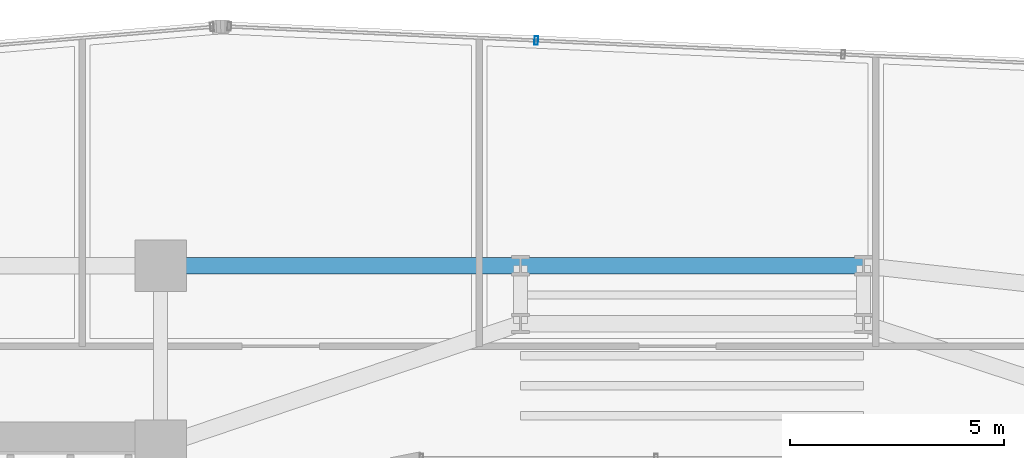
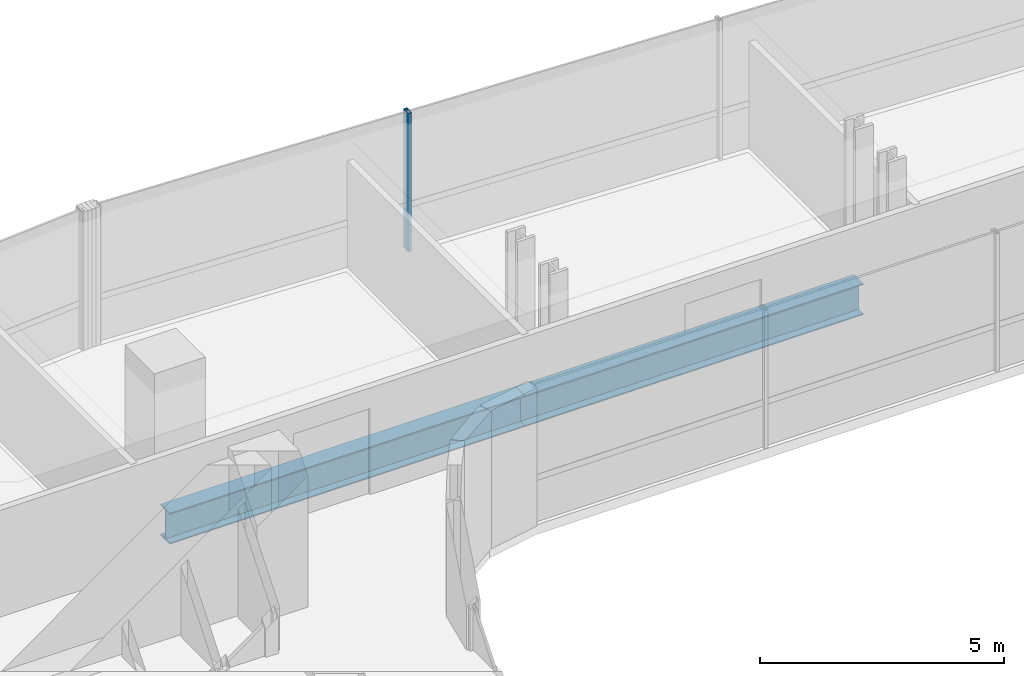
# One storey, part 20 of 35: 2 beams, 1 member, 1 element without a shape of its own.
"""IFC4 building model written with IfcOpenShell, lengths in metres."""

from ifc_helpers import new_model, si_unit, direction, frame, origin, origin_2d, place, context, subcontext, project, spatial, hollow_rectangle, i_section, extrude, source, transform, mapped, material, material_profile, profile_set, type_object, element, aggregate, save


model = new_model("IFC4")

# Units and contexts
model_context = context("Model", 3, precision=1e-05, world=origin(), true_north=direction((0.0, 1.0)))
body_context = subcontext(model_context, "Body", "Model", "MODEL_VIEW")
ifc_project = project(units=[si_unit("LENGTHUNIT", "METRE"), si_unit("AREAUNIT", "SQUARE_METRE"), si_unit("VOLUMEUNIT", "CUBIC_METRE"), si_unit("PLANEANGLEUNIT", "RADIAN"), si_unit("MASSUNIT", "GRAM", prefix="KILO")], contexts=[model_context])

# Site, building, storey
site_placement = place(None, origin())
site = spatial("IfcSite", under=ifc_project, at=site_placement, CompositionType="ELEMENT")
building_placement = place(site_placement, origin())
building = spatial("IfcBuilding", under=site, at=building_placement, Name="Valdorenza Pilgrim Sanctuary Tower", CompositionType="ELEMENT")
storey_placement = place(building_placement, frame((0.0, 0.0, 139.0)))
storey = spatial("IfcBuildingStorey", under=building, at=storey_placement, Name="L35", CompositionType="ELEMENT", Elevation=139.0)

# Beams
ifc_material_1 = material(Name="Steel ASTM A992 Grade 50", Category="steel")
ifc_material_profile_1 = material_profile(ifc_material_1, i_section(OverallWidth=0.382080078125, OverallDepth=0.779052734375, WebThickness=0.01806640625, FlangeThickness=0.030029296875, at=origin_2d()), Name="W30X191")
ifc_profile_set_1 = profile_set([ifc_material_profile_1], Name="Steel ASTM A992 Grade 50")
beam_type = type_object("IfcBeamType", Name="STR-BM-GRD-W30", PredefinedType="BEAM", material=ifc_profile_set_1)
shared_shape_1 = source(origin(), body_context, "Body", "SweptSolid", [
    extrude(i_section(OverallWidth=0.382080078125, OverallDepth=0.779052734375, WebThickness=0.01806640625, FlangeThickness=0.030029296875, at=origin_2d()), origin(), (0.0, 0.0, 1.0), 8.0),
])
beam_1_placement = place(storey_placement, frame((-4.0, 14.800048828125, -0.62939453125), z_axis=(1.0, 0.0, 0.0), x_axis=(0.0, 1.0, 0.0)))
element("IfcBeam", 1, at=beam_1_placement, inside=storey, type_object=beam_type, Name="L35 Floor Girder KNK-G5", PredefinedType="BEAM", context=body_context, shape_type="MappedRepresentation", body=[
    mapped(shared_shape_1, transform((0.0, 0.0, 0.0), x_axis=(1.0, 0.0, 0.0), y_axis=(0.0, 1.0, 0.0), z_axis=(0.0, 0.0, 1.0), scale=1.0)),
])
shared_shape_2 = source(origin(), body_context, "Body", "SweptSolid", [
    extrude(i_section(OverallWidth=0.382080078125, OverallDepth=0.779052734375, WebThickness=0.01806640625, FlangeThickness=0.030029296875, at=origin_2d()), origin(), (0.0, 0.0, 1.0), 8.39990234375),
])
beam_2_placement = place(storey_placement, frame((-12.39990234375, 14.800048828125, -0.62939453125), z_axis=(1.0, 0.0, 0.0), x_axis=(0.0, 1.0, 0.0)))
element("IfcBeam", 2, at=beam_2_placement, inside=storey, type_object=beam_type, Name="L35 Floor Girder KNK-G4", PredefinedType="BEAM", context=body_context, shape_type="MappedRepresentation", body=[
    mapped(shared_shape_2, transform((0.0, 0.0, 0.0), x_axis=(1.0, 0.0, 0.0), y_axis=(0.0, 1.0, 0.0), z_axis=(0.0, 0.0, 1.0), scale=1.0)),
])

# Curtain wall, member
ifc_material_2 = material(Name="Curtain-wall IGU glazing", Category="glass")
curtain_wall_type = type_object("IfcCurtainWallType", Name="CW-SYS-02", PredefinedType="NOTDEFINED", material=ifc_material_2)
curtain_wall_placement = place(storey_placement, origin())
curtain_wall = element("IfcCurtainWall", 3, at=curtain_wall_placement, inside=storey, type_object=curtain_wall_type, Name="L35 Curtain Wall CW-L35-1-11", PredefinedType="NOTDEFINED")
ifc_material_3 = material(Name="Anodised aluminium AW-6060", Category="aluminium")
ifc_material_profile_2 = material_profile(ifc_material_3, hollow_rectangle(XDim=0.0849609375, YDim=0.199951171875, WallThickness=0.0048828125, at=origin_2d()), Name="ALU-M 200x85x5")
ifc_profile_set_2 = profile_set([ifc_material_profile_2], Name="Anodised aluminium AW-6060")
member_type = type_object("IfcMemberType", Name="CW-MUL-02", PredefinedType="MULLION", material=ifc_profile_set_2)
shared_shape_3 = source(origin(), body_context, "Body", "SweptSolid", [
    extrude(hollow_rectangle(XDim=0.0849609375, YDim=0.199951171875, WallThickness=0.0048828125, at=origin_2d()), origin(), (0.0, 0.0, 1.0), 3.4599609375),
])
member_placement = place(storey_placement, frame((-3.6337890625, 20.05517578125, 0.0), z_axis=(0.0, 0.0, 1.0), x_axis=(0.998968193221, -0.045415294044, 0.0)))
member = element("IfcMember", 4, at=member_placement, type_object=member_type, Name="CW-L35-1-11 Mullion 2", PredefinedType="MULLION", context=body_context, shape_type="MappedRepresentation", body=[
    mapped(shared_shape_3, transform((0.0, 0.0, 0.0), x_axis=(1.0, 0.0, 0.0), y_axis=(0.0, 1.0, 0.0), z_axis=(0.0, 0.0, 1.0), scale=1.0)),
])
aggregate(curtain_wall, [member])

save(model, "model.ifc")
